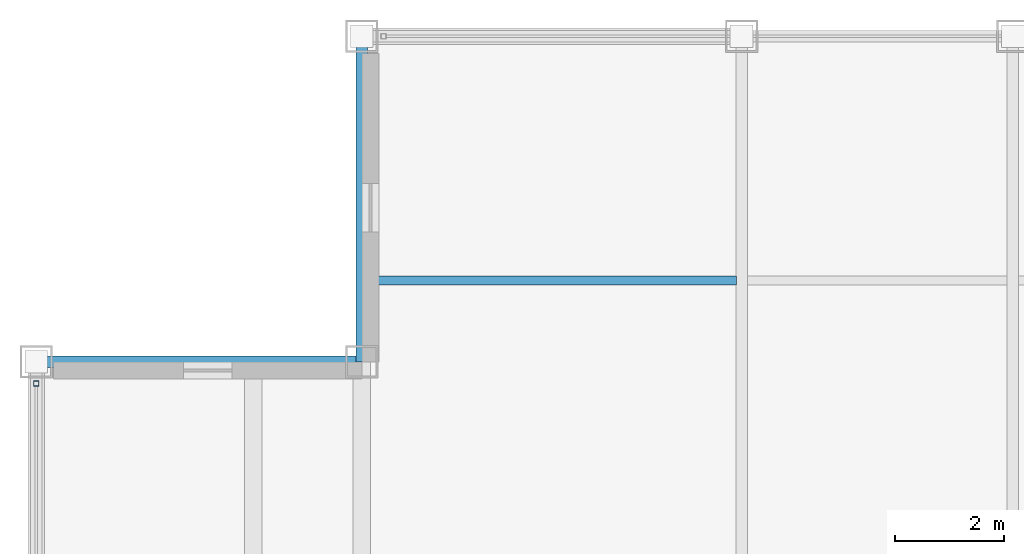
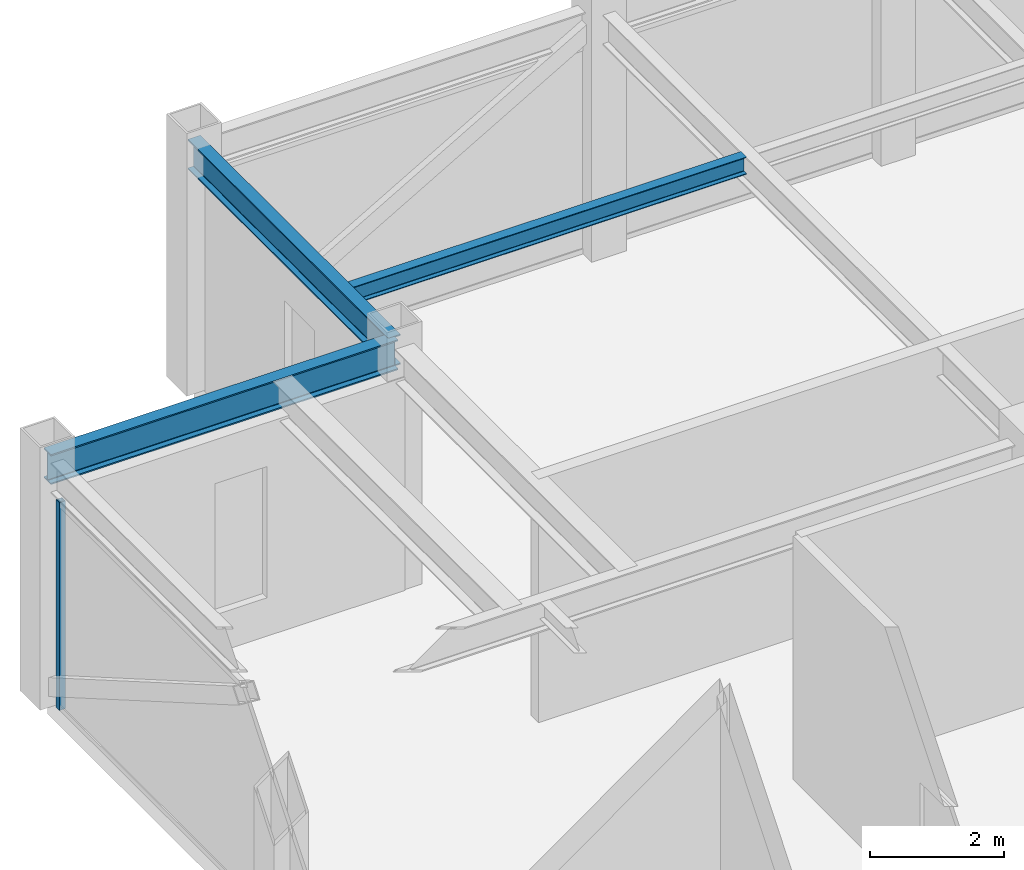
# One storey, part 14 of 27: 3 beams, 1 member, 1 element without a shape of its own.
"""IFC4 building model written with IfcOpenShell, lengths in metres."""

from ifc_helpers import new_model, si_unit, direction, frame, origin, origin_2d, place, context, subcontext, project, spatial, hollow_rectangle, i_section, extrude, source, transform, mapped, material, material_profile, profile_set, type_object, element, aggregate, save


model = new_model("IFC4")

# Units and contexts
model_context = context("Model", 3, precision=1e-05, world=origin(), true_north=direction((0.0, 1.0)))
body_context = subcontext(model_context, "Body", "Model", "MODEL_VIEW")
ifc_project = project(units=[si_unit("LENGTHUNIT", "METRE"), si_unit("AREAUNIT", "SQUARE_METRE"), si_unit("VOLUMEUNIT", "CUBIC_METRE"), si_unit("PLANEANGLEUNIT", "RADIAN"), si_unit("MASSUNIT", "GRAM", prefix="KILO")], contexts=[model_context])

# Site, building, storey
site_placement = place(None, origin())
site = spatial("IfcSite", under=ifc_project, at=site_placement, CompositionType="ELEMENT")
building_placement = place(site_placement, origin())
building = spatial("IfcBuilding", under=site, at=building_placement, Name="Khorayat Bourse Tower", CompositionType="ELEMENT")
storey_placement = place(building_placement, frame((0.0, 0.0, 389.89990234375)))
storey = spatial("IfcBuildingStorey", under=building, at=storey_placement, Name="L92", CompositionType="ELEMENT", Elevation=389.89990234375)

# Beams
ifc_material_1 = material(Name="Steel ASTM A992 Grade 50", Category="steel")
ifc_material_profile_1 = material_profile(ifc_material_1, i_section(OverallWidth=0.214111328125, OverallDepth=0.549072265625, WebThickness=0.0146484375, FlangeThickness=0.023681640625, FilletRadius=0.013916015625, at=origin_2d()), Name="W530X138")
ifc_profile_set_1 = profile_set([ifc_material_profile_1], Name="Steel ASTM A992 Grade 50")
beam_type_1 = type_object("IfcBeamType", Name="BM-SPAN-530", PredefinedType="SPANDREL", material=ifc_profile_set_1)
shared_shape_1 = source(origin(), body_context, "Body", "SweptSolid", [
    extrude(i_section(OverallWidth=0.214111328125, OverallDepth=0.549072265625, WebThickness=0.0146484375, FlangeThickness=0.023681640625, FilletRadius=0.013916015625, at=origin_2d()), origin(), (0.0, 0.0, 1.0), 6.0),
])
for number, where, z_axis, x_axis, name in (
    (1, (-18.0, 18.0, 4.175537109375), (0.0, 1.0, 0.0), (-1.0, 0.0, 0.0), "L92 BM-SPAN-530 BM-L92-SPN-046"),
    (2, (-24.0, 18.0, 4.175537109375), (1.0, 0.0, 0.0), (0.0, 1.0, 0.0), "L92 BM-SPAN-530 BM-L92-SPN-047"),
):
    element("IfcBeam", number, at=place(storey_placement, frame(where, z_axis=z_axis, x_axis=x_axis)), inside=storey, type_object=beam_type_1, Name=name, PredefinedType="SPANDREL", context=body_context, shape_type="MappedRepresentation", body=[
        mapped(shared_shape_1, transform((0.0, 0.0, 0.0), scale=1.0)),
    ])
ifc_material_profile_2 = material_profile(ifc_material_1, i_section(OverallWidth=0.1669921875, OverallDepth=0.31689453125, WebThickness=0.007568359375, FlangeThickness=0.01318359375, FilletRadius=0.010009765625, at=origin_2d()), Name="W310X52")
ifc_profile_set_2 = profile_set([ifc_material_profile_2], Name="Steel ASTM A992 Grade 50")
beam_type_2 = type_object("IfcBeamType", Name="BM-JOIST-310", PredefinedType="JOIST", material=ifc_profile_set_2)
shared_shape_2 = source(origin(), body_context, "Body", "SweptSolid", [
    extrude(i_section(OverallWidth=0.1669921875, OverallDepth=0.31689453125, WebThickness=0.007568359375, FlangeThickness=0.01318359375, FilletRadius=0.010009765625, at=origin_2d()), origin(), (0.0, 0.0, 1.0), 6.81005859375),
])
beam_placement = place(storey_placement, frame((-17.905029296875, 19.5, 4.29150390625), z_axis=(1.0, 0.0, 0.0), x_axis=(0.0, 1.0, 0.0)))
element("IfcBeam", 3, at=beam_placement, inside=storey, type_object=beam_type_2, Name="L92 BM-JOIST-310 BM-L92-JSTX-087", PredefinedType="JOIST", context=body_context, shape_type="MappedRepresentation", body=[
    mapped(shared_shape_2, transform((0.0, 0.0, 0.0), scale=1.0)),
])

# Curtain wall, member
ifc_material_2 = material(Name="Aluminium EN AW-6063 T6", Category="aluminium")
curtain_wall_type = type_object("IfcCurtainWallType", Name="CW-SYS-07", PredefinedType="NOTDEFINED", material=ifc_material_2)
curtain_wall_placement = place(storey_placement, origin())
curtain_wall = element("IfcCurtainWall", 4, at=curtain_wall_placement, inside=storey, type_object=curtain_wall_type, Name="L92 Curtain Wall CW-L92-W1", PredefinedType="NOTDEFINED")
ifc_material_profile_3 = material_profile(ifc_material_2, hollow_rectangle(XDim=0.10009765625, YDim=0.10009765625, WallThickness=0.0048828125, at=origin_2d()), Name="ALU 100x100x5")
ifc_profile_set_3 = profile_set([ifc_material_profile_3], Name="Aluminium EN AW-6063 T6")
member_type = type_object("IfcMemberType", Name="CWM-LANTERN-100", PredefinedType="MULLION", material=ifc_profile_set_3)
shared_shape_3 = source(origin(), body_context, "Body", "SweptSolid", [
    extrude(hollow_rectangle(XDim=0.10009765625, YDim=0.10009765625, WallThickness=0.0048828125, at=origin_2d()), origin(), (0.0, 0.0, 1.0), 3.800048828125),
])
member_placement = place(storey_placement, frame((-24.0, 17.60009765625, 0.0), z_axis=(0.0, 0.0, 1.0), x_axis=(-1.0, 0.0, 0.0)))
member = element("IfcMember", 5, at=member_placement, type_object=member_type, Name="CW-L92-W1 Vertical Mullion 3", PredefinedType="MULLION", context=body_context, shape_type="MappedRepresentation", body=[
    mapped(shared_shape_3, transform((0.0, 0.0, 0.0), scale=1.0)),
])
aggregate(curtain_wall, [member])

save(model, "model.ifc")
